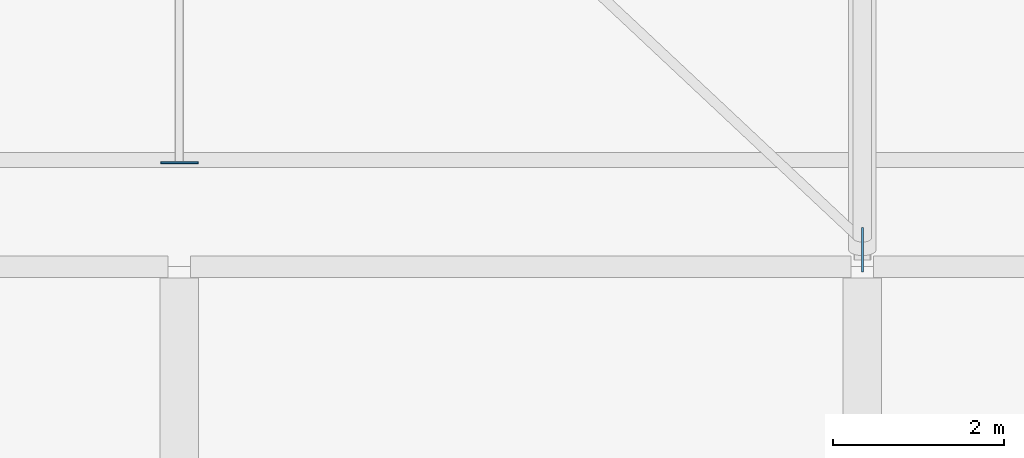
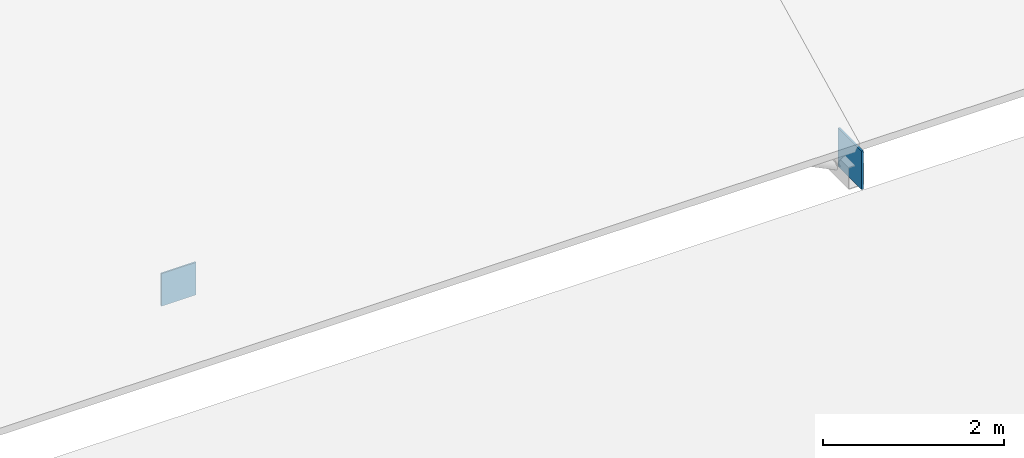
# One storey, part 101 of 137: 2 plates.
"""IFC4 building model written with IfcOpenShell, lengths in metres."""

from ifc_helpers import new_model, si_unit, direction, frame, origin, origin_2d, place, context, subcontext, project, spatial, rectangle, extrude, material, layer, layer_set, type_object, element, save


model = new_model("IFC4")

# Units and contexts
model_context = context("Model", 3, precision=1e-05, world=origin(), true_north=direction((0.0, 1.0)))
body_context = subcontext(model_context, "Body", "Model", "MODEL_VIEW")
ifc_project = project(units=[si_unit("LENGTHUNIT", "METRE"), si_unit("AREAUNIT", "SQUARE_METRE"), si_unit("VOLUMEUNIT", "CUBIC_METRE"), si_unit("PLANEANGLEUNIT", "RADIAN"), si_unit("MASSUNIT", "GRAM", prefix="KILO")], contexts=[model_context])

# Site, building, storey
site_placement = place(None, origin())
site = spatial("IfcSite", under=ifc_project, at=site_placement, CompositionType="ELEMENT")
building_placement = place(site_placement, origin())
building = spatial("IfcBuilding", under=site, at=building_placement, Name="Jelvoka-Kovrelna Polytechnic", CompositionType="ELEMENT")
storey_placement = place(building_placement, frame((0.0, 0.0, 9.60009765625)))
storey = spatial("IfcBuildingStorey", under=building, at=storey_placement, Name="L03", CompositionType="ELEMENT", Elevation=9.60009765625)

# Plates
ifc_material_1 = material(Name="Structural steel S355JR", Category="steel")
ifc_layer_1 = layer(ifc_material_1, 0.02392578125)
ifc_layer_set_1 = layer_set([ifc_layer_1], Name="Structural steel S355JR")
plate_type_1 = type_object("IfcPlateType", Name="Plate_Gusset_GP1", PredefinedType="SHEET", material=ifc_layer_set_1)
plate_1_placement = place(storey_placement, frame((136.0, 88.199951171875, 0.056396484375), z_axis=(0.0, 0.0, 1.0), x_axis=(0.0, 1.0, 0.0)))
element("IfcPlate", 1, at=plate_1_placement, inside=storey, type_object=plate_type_1, Name="Sawtooth truss 4 steel gusset node plate 019", PredefinedType="SHEET", context=body_context, shape_type="SweptSolid", body=[
    extrude(rectangle(XDim=0.52001953125, YDim=0.02392578125, at=origin_2d()), origin(), (0.0, 0.0, 1.0), 0.52001953125),
])
ifc_material_2 = material(Name="Structural steel S355JR", Category="steel")
ifc_layer_2 = layer(ifc_material_2, 0.02001953125)
ifc_layer_set_2 = layer_set([ifc_layer_2], Name="Structural steel S355JR")
plate_type_2 = type_object("IfcPlateType", Name="Plate_Gusset_GP3", PredefinedType="SHEET", material=ifc_layer_set_2)
plate_2_placement = place(storey_placement, frame((128.0, 89.218017578125, 0.58642578125), z_axis=(0.0, 0.0, 1.0), x_axis=(1.0, 0.0, 0.0)))
element("IfcPlate", 2, at=plate_2_placement, inside=storey, type_object=plate_type_2, Name="Sawtooth rafter 3.1 bot steel end cap plate 059", PredefinedType="SHEET", context=body_context, shape_type="SweptSolid", body=[
    extrude(rectangle(XDim=0.43994140625, YDim=0.02001953125, at=origin_2d()), origin(), (0.0, 0.0, 1.0), 0.43994140625),
])

save(model, "model.ifc")
